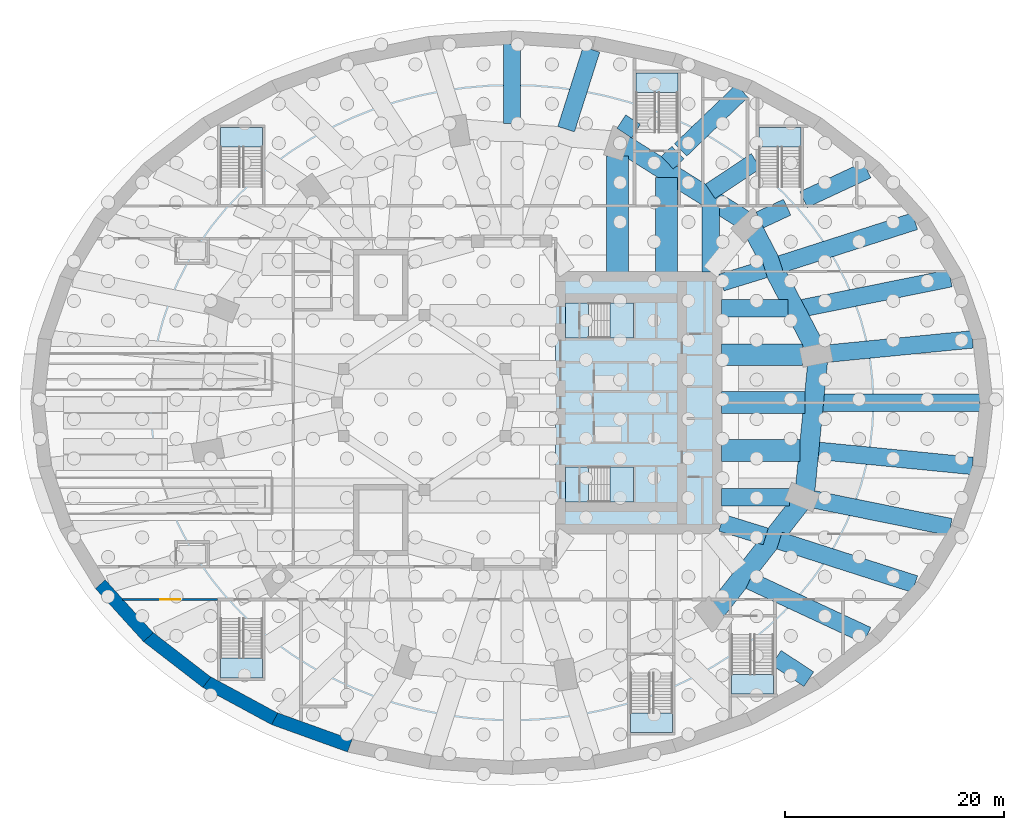
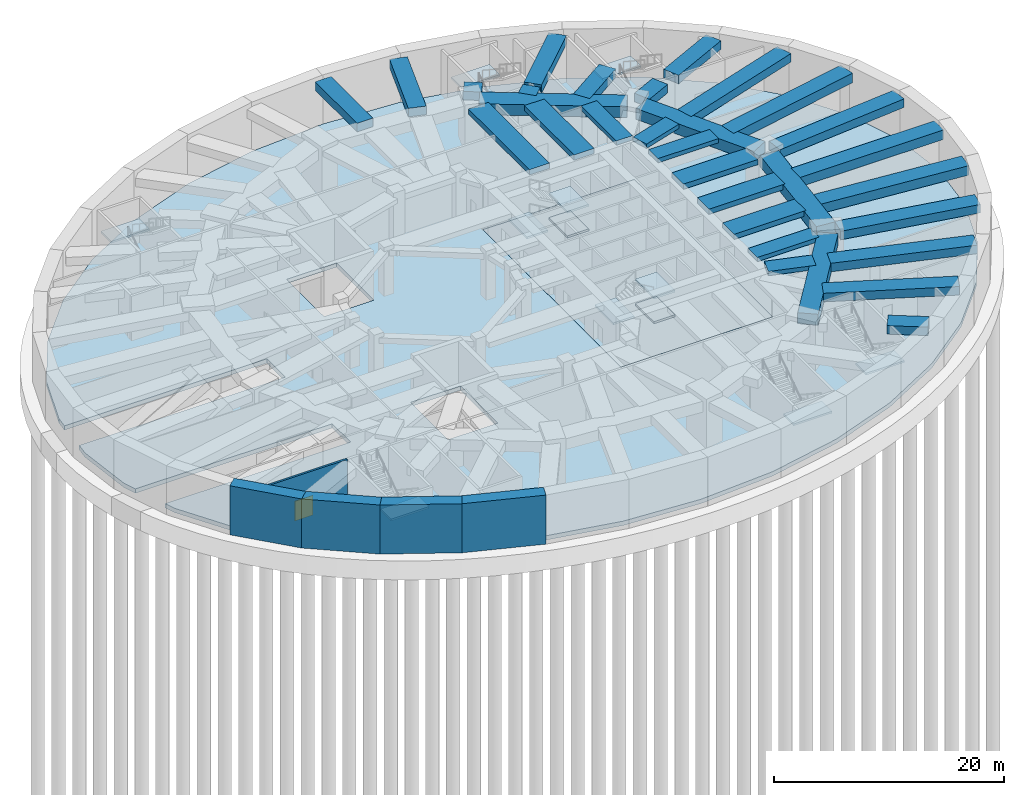
# One storey, part 6 of 18: 31 beams, 14 slabs, 5 walls, 1 door, 1 opening, 8 elements without a shape of their own.
"""IFC4 building model written with IfcOpenShell, lengths in metres."""

from ifc_helpers import new_model, si_unit, direction, frame, frame_2d, origin, origin_2d, place, context, subcontext, project, spatial, polyline, rectangle, outline, extrude, material, layer, layer_set, material_profile, profile_set, type_object, element, fill, aggregate, save


model = new_model("IFC4")

# Units and contexts
model_context = context("Model", 3, precision=1e-05, world=origin(), true_north=direction((0.0, 1.0)))
body_context = subcontext(model_context, "Body", "Model", "MODEL_VIEW")
ifc_project = project(units=[si_unit("LENGTHUNIT", "METRE"), si_unit("AREAUNIT", "SQUARE_METRE"), si_unit("VOLUMEUNIT", "CUBIC_METRE"), si_unit("PLANEANGLEUNIT", "RADIAN"), si_unit("MASSUNIT", "GRAM", prefix="KILO")], contexts=[model_context])

# Site, building, storey
site_placement = place(None, origin())
site = spatial("IfcSite", under=ifc_project, at=site_placement, CompositionType="ELEMENT")
building_placement = place(site_placement, origin())
building = spatial("IfcBuilding", under=site, at=building_placement, Name="Taillehof Tower", CompositionType="ELEMENT")
storey_placement = place(building_placement, frame((0.0, 0.0, -10.39990234375)))
storey = spatial("IfcBuildingStorey", under=building, at=storey_placement, Name="B2", CompositionType="ELEMENT", Elevation=-10.39990234375)

# Beams
ifc_material_1 = material(Name="Concrete C50/60", Category="concrete")
ifc_material_profile_1 = material_profile(ifc_material_1, rectangle(XDim=1.60009765625, YDim=1.0, at=origin_2d()), Name="RC 1600x1000")
ifc_profile_set_1 = profile_set([ifc_material_profile_1], Name="Concrete C50/60")
beam_type_1 = type_object("IfcBeamType", Name="Podium radial beam C50/60 1600x1000", PredefinedType="BEAM", material=ifc_profile_set_1)
beam_1_placement = place(storey_placement, frame((42.792236328125, 0.0, 4.25), z_axis=(-1.0, 0.0, 0.0), x_axis=(0.0, -1.0, 0.0)))
element("IfcBeam", 1, at=beam_1_placement, inside=storey, type_object=beam_type_1, Name="Podium radial beam PR01", PredefinedType="BEAM", context=body_context, shape_type="SweptSolid", body=[
    extrude(rectangle(XDim=1.60009765625, YDim=1.0, at=origin_2d()), origin(), (0.0, 0.0, 1.0), 14.37939453125),
])
beam_2_placement = place(storey_placement, frame((40.097412109375, 11.376220703125, 4.25), z_axis=(-0.980159529248, -0.198210234914, 0.0), x_axis=(0.198210234914, -0.980159529248, 0.0)))
element("IfcBeam", 2, at=beam_2_placement, inside=storey, type_object=beam_type_1, Name="Podium radial beam PR03", PredefinedType="BEAM", context=body_context, shape_type="SweptSolid", body=[
    extrude(rectangle(XDim=1.60009765625, YDim=1.0, at=origin_2d()), origin(), (0.0, 0.0, 1.0), 13.785400390625),
])
beam_3_placement = place(storey_placement, frame((42.103271484375, -5.78369140625, 4.25), z_axis=(-0.995235968707, 0.097495469601, 0.0), x_axis=(-0.097495469601, -0.995235968707, 0.0)))
element("IfcBeam", 3, at=beam_3_placement, inside=storey, type_object=beam_type_1, Name="Podium radial beam PR36", PredefinedType="BEAM", context=body_context, shape_type="SweptSolid", body=[
    extrude(rectangle(XDim=1.60009765625, YDim=1.0, at=origin_2d()), origin(), (0.0, 0.0, 1.0), 14.108154296875),
])
ifc_material_2 = material(Name="Concrete C50/60", Category="concrete")
ifc_material_profile_2 = material_profile(ifc_material_2, rectangle(XDim=1.60009765625, YDim=0.89990234375, at=origin_2d()), Name="RC 1600x900")
ifc_profile_set_2 = profile_set([ifc_material_profile_2], Name="Concrete C50/60")
beam_type_2 = type_object("IfcBeamType", Name="Podium radial beam C50/60 1600x900", PredefinedType="BEAM", material=ifc_profile_set_2)
beam_4_placement = place(storey_placement, frame((42.103271484375, 5.78369140625, 4.2998046875), z_axis=(-0.995236796201, -0.097487022149, 0.0), x_axis=(0.097487022149, -0.995236796201, 0.0)))
element("IfcBeam", 4, at=beam_4_placement, inside=storey, type_object=beam_type_2, Name="Podium radial beam PR02", PredefinedType="BEAM", context=body_context, shape_type="SweptSolid", body=[
    extrude(rectangle(XDim=1.60009765625, YDim=0.89990234375, at=origin_2d()), origin(), (0.0, 0.0, 1.0), 13.258056640625),
])
beam_5_placement = place(storey_placement, frame((36.850341796875, 16.59765625, 4.2998046875), z_axis=(-0.952213964382, -0.305431769852, 0.0), x_axis=(0.305431769852, -0.952213964382, 0.0)))
element("IfcBeam", 5, at=beam_5_placement, inside=storey, type_object=beam_type_2, Name="Podium radial beam PR04", PredefinedType="BEAM", context=body_context, shape_type="SweptSolid", body=[
    extrude(rectangle(XDim=1.60009765625, YDim=0.89990234375, at=origin_2d()), origin(), (0.0, 0.0, 1.0), 12.88037109375),
])
beam_6_placement = place(storey_placement, frame((32.48193359375, 21.2841796875, 4.2998046875), z_axis=(-0.906353431293, -0.422520363514, 0.0), x_axis=(0.422520363514, -0.906353431293, 0.0)))
element("IfcBeam", 6, at=beam_6_placement, inside=storey, type_object=beam_type_2, Name="Podium radial beam PR05", PredefinedType="BEAM", context=body_context, shape_type="SweptSolid", body=[
    extrude(rectangle(XDim=1.60009765625, YDim=0.89990234375, at=origin_2d()), origin(), (0.0, 0.0, 1.0), 6.406982421875),
])
beam_7_placement = place(storey_placement, frame((25.168701171875, 17.875, 4.2998046875), z_axis=(-0.906343651761, -0.422541341068, 0.0), x_axis=(0.422541341068, -0.906343651761, 0.0)))
element("IfcBeam", 7, at=beam_7_placement, inside=storey, type_object=beam_type_2, Name="Podium radial beam PR05", PredefinedType="BEAM", context=body_context, shape_type="SweptSolid", body=[
    extrude(rectangle(XDim=1.60009765625, YDim=0.89990234375, at=origin_2d()), origin(), (0.0, 0.0, 1.0), 2.7578125),
])
beam_8_placement = place(storey_placement, frame((22.324951171875, 22.10107421875, 4.2998046875), z_axis=(-0.833802323485, -0.552063117181, 0.0), x_axis=(0.552063117181, -0.833802323485, 0.0)))
element("IfcBeam", 8, at=beam_8_placement, inside=storey, type_object=beam_type_2, Name="Podium radial beam PR06", PredefinedType="BEAM", context=body_context, shape_type="SweptSolid", body=[
    extrude(rectangle(XDim=1.60009765625, YDim=0.89990234375, at=origin_2d()), origin(), (0.0, 0.0, 1.0), 5.02587890625),
])
beam_9_placement = place(storey_placement, frame((21.03564453125, 28.516845703125, 4.2998046875), z_axis=(-0.720584173649, -0.693367470167, 0.0), x_axis=(0.693367470167, -0.720584173649, 0.0)))
element("IfcBeam", 9, at=beam_9_placement, inside=storey, type_object=beam_type_2, Name="Podium radial beam PR07", PredefinedType="BEAM", context=body_context, shape_type="SweptSolid", body=[
    extrude(rectangle(XDim=1.60009765625, YDim=0.89990234375, at=origin_2d()), origin(), (0.0, 0.0, 1.0), 7.7861328125),
])
beam_10_placement = place(storey_placement, frame((15.17236328125, 22.875, 4.2998046875), z_axis=(-0.720552861663, -0.69340000977, 0.0), x_axis=(0.69340000977, -0.720552861663, 0.0)))
element("IfcBeam", 10, at=beam_10_placement, inside=storey, type_object=beam_type_2, Name="Podium radial beam PR07", PredefinedType="BEAM", context=body_context, shape_type="SweptSolid", body=[
    extrude(rectangle(XDim=1.60009765625, YDim=0.89990234375, at=origin_2d()), origin(), (0.0, 0.0, 1.0), 1.339599609375),
])
beam_11_placement = place(storey_placement, frame((11.074951171875, 25.8837890625, 4.2998046875), z_axis=(-0.547998143766, -0.836479548124, 0.0), x_axis=(0.836479548124, -0.547998143766, 0.0)))
element("IfcBeam", 11, at=beam_11_placement, inside=storey, type_object=beam_type_2, Name="Podium radial beam PR08", PredefinedType="BEAM", context=body_context, shape_type="SweptSolid", body=[
    extrude(rectangle(XDim=1.60009765625, YDim=0.89990234375, at=origin_2d()), origin(), (0.0, 0.0, 1.0), 1.466552734375),
])
beam_12_placement = place(storey_placement, frame((7.266845703125, 32.305908203125, 4.2998046875), z_axis=(-0.302511936642, -0.953145596532, 0.0), x_axis=(0.953145596532, -0.302511936642, 0.0)))
element("IfcBeam", 12, at=beam_12_placement, inside=storey, type_object=beam_type_2, Name="Podium radial beam PR09", PredefinedType="BEAM", context=body_context, shape_type="SweptSolid", body=[
    extrude(rectangle(XDim=1.60009765625, YDim=0.89990234375, at=origin_2d()), origin(), (0.0, 0.0, 1.0), 7.649169921875),
])
beam_13_placement = place(storey_placement, frame((0.0, 32.79736328125, 4.2998046875), z_axis=(0.0, -1.0, 0.0), x_axis=(1.0, 0.0, 0.0)))
element("IfcBeam", 13, at=beam_13_placement, inside=storey, type_object=beam_type_2, Name="Podium radial beam PR10", PredefinedType="BEAM", context=body_context, shape_type="SweptSolid", body=[
    extrude(rectangle(XDim=1.60009765625, YDim=0.89990234375, at=origin_2d()), origin(), (0.0, 0.0, 1.0), 7.275634765625),
])
beam_14_placement = place(storey_placement, frame((27.148681640625, -25.294677734375, 4.2998046875), z_axis=(-0.833815431022, 0.552043319849, 0.0), x_axis=(-0.552043319849, -0.833815431022, 0.0)))
element("IfcBeam", 14, at=beam_14_placement, inside=storey, type_object=beam_type_2, Name="Podium radial beam PR32", PredefinedType="BEAM", context=body_context, shape_type="SweptSolid", body=[
    extrude(rectangle(XDim=1.60009765625, YDim=0.89990234375, at=origin_2d()), origin(), (0.0, 0.0, 1.0), 3.56640625),
])
beam_15_placement = place(storey_placement, frame((32.48193359375, -21.2841796875, 4.2998046875), z_axis=(-0.906354969557, 0.42251706375, 0.0), x_axis=(-0.42251706375, -0.906354969557, 0.0)))
element("IfcBeam", 15, at=beam_15_placement, inside=storey, type_object=beam_type_2, Name="Podium radial beam PR33", PredefinedType="BEAM", context=body_context, shape_type="SweptSolid", body=[
    extrude(rectangle(XDim=1.60009765625, YDim=0.89990234375, at=origin_2d()), origin(), (0.0, 0.0, 1.0), 11.864501953125),
])
beam_16_placement = place(storey_placement, frame((36.850341796875, -16.59765625, 4.2998046875), z_axis=(-0.9522154195, 0.305427233342, 0.0), x_axis=(-0.305427233342, -0.9522154195, 0.0)))
element("IfcBeam", 16, at=beam_16_placement, inside=storey, type_object=beam_type_2, Name="Podium radial beam PR34", PredefinedType="BEAM", context=body_context, shape_type="SweptSolid", body=[
    extrude(rectangle(XDim=1.60009765625, YDim=0.89990234375, at=origin_2d()), origin(), (0.0, 0.0, 1.0), 13.010986328125),
])
beam_17_placement = place(storey_placement, frame((40.097412109375, -11.376220703125, 4.2998046875), z_axis=(-0.98016201172, 0.198197958571, 0.0), x_axis=(-0.198197958571, -0.98016201172, 0.0)))
element("IfcBeam", 17, at=beam_17_placement, inside=storey, type_object=beam_type_2, Name="Podium radial beam PR35", PredefinedType="BEAM", context=body_context, shape_type="SweptSolid", body=[
    extrude(rectangle(XDim=1.60009765625, YDim=0.89990234375, at=origin_2d()), origin(), (0.0, 0.0, 1.0), 12.80712890625),
])
ifc_material_3 = material(Name="Concrete C50/60", Category="concrete")
ifc_material_profile_3 = material_profile(ifc_material_3, rectangle(XDim=1.60009765625, YDim=0.449951171875, at=origin_2d()), Name="RC 1600x450")
ifc_profile_set_3 = profile_set([ifc_material_profile_3], Name="Concrete C50/60")
beam_type_3 = type_object("IfcBeamType", Name="Radial band beam C50/60 1600x450", PredefinedType="BEAM", material=ifc_profile_set_3)
beam_18_placement = place(storey_placement, frame((25.234130859375, 8.635986328125, 4.52490234375), z_axis=(-1.0, 0.0, 0.0), x_axis=(0.0, -1.0, 0.0)))
element("IfcBeam", 18, at=beam_18_placement, inside=storey, type_object=beam_type_3, Name="Radial band beam RB03", PredefinedType="BEAM", context=body_context, shape_type="SweptSolid", body=[
    extrude(rectangle(XDim=1.60009765625, YDim=0.449951171875, at=origin_2d()), origin(), (0.0, 0.0, 1.0), 6.084228515625),
])
beam_19_placement = place(storey_placement, frame((23.117919921875, 12.209228515625, 4.52490234375), z_axis=(-0.955533205801, -0.294883523805, 0.0), x_axis=(0.294883523805, -0.955533205801, 0.0)))
element("IfcBeam", 19, at=beam_19_placement, inside=storey, type_object=beam_type_3, Name="Radial band beam RB04", PredefinedType="BEAM", context=body_context, shape_type="SweptSolid", body=[
    extrude(rectangle(XDim=1.60009765625, YDim=0.449951171875, at=origin_2d()), origin(), (0.0, 0.0, 1.0), 4.150390625),
])
beam_20_placement = place(storey_placement, frame((18.15869140625, 18.08740234375, 4.52490234375), z_axis=(0.0, -1.0, 0.0), x_axis=(1.0, 0.0, 0.0)))
element("IfcBeam", 20, at=beam_20_placement, inside=storey, type_object=beam_type_3, Name="Radial band beam RB06", PredefinedType="BEAM", context=body_context, shape_type="SweptSolid", body=[
    extrude(rectangle(XDim=1.60009765625, YDim=0.449951171875, at=origin_2d()), origin(), (0.0, 0.0, 1.0), 6.137451171875),
])
beam_21_placement = place(storey_placement, frame((23.20556640625, -12.236328125, 4.52490234375), z_axis=(-0.955529794547, 0.294894577321, 0.0), x_axis=(-0.294894577321, -0.955529794547, 0.0)))
element("IfcBeam", 21, at=beam_21_placement, inside=storey, type_object=beam_type_3, Name="Radial band beam RB34", PredefinedType="BEAM", context=body_context, shape_type="SweptSolid", body=[
    extrude(rectangle(XDim=1.60009765625, YDim=0.449951171875, at=origin_2d()), origin(), (0.0, 0.0, 1.0), 4.2421875),
])
beam_22_placement = place(storey_placement, frame((25.362060546875, -8.635986328125, 4.52490234375), z_axis=(-1.0, 0.0, 0.0), x_axis=(0.0, -1.0, 0.0)))
element("IfcBeam", 22, at=beam_22_placement, inside=storey, type_object=beam_type_3, Name="Radial band beam RB35", PredefinedType="BEAM", context=body_context, shape_type="SweptSolid", body=[
    extrude(rectangle(XDim=1.60009765625, YDim=0.449951171875, at=origin_2d()), origin(), (0.0, 0.0, 1.0), 6.212158203125),
])
ifc_material_4 = material(Name="Concrete C50/60", Category="concrete")
ifc_material_profile_4 = material_profile(ifc_material_4, rectangle(XDim=2.0, YDim=0.550048828125, at=origin_2d()), Name="RC 2000x550")
ifc_profile_set_4 = profile_set([ifc_material_profile_4], Name="Concrete C50/60")
beam_type_4 = type_object("IfcBeamType", Name="Radial band beam C50/60 2000x550", PredefinedType="BEAM", material=ifc_profile_set_4)
beam_23_placement = place(storey_placement, frame((26.787841796875, 0.0, 4.474853515625), z_axis=(-1.0, 0.0, 0.0), x_axis=(0.0, -1.0, 0.0)))
element("IfcBeam", 23, at=beam_23_placement, inside=storey, type_object=beam_type_4, Name="Radial band beam RB01", PredefinedType="BEAM", context=body_context, shape_type="SweptSolid", body=[
    extrude(rectangle(XDim=2.0, YDim=0.550048828125, at=origin_2d()), origin(), (0.0, 0.0, 1.0), 7.637939453125),
])
beam_24_placement = place(storey_placement, frame((26.592529296875, 4.384521484375, 4.474853515625), z_axis=(-1.0, 0.0, 0.0), x_axis=(0.0, -1.0, 0.0)))
element("IfcBeam", 24, at=beam_24_placement, inside=storey, type_object=beam_type_4, Name="Radial band beam RB02", PredefinedType="BEAM", context=body_context, shape_type="SweptSolid", body=[
    extrude(rectangle(XDim=2.0, YDim=0.550048828125, at=origin_2d()), origin(), (0.0, 0.0, 1.0), 7.442626953125),
])
beam_25_placement = place(storey_placement, frame((14.125, 20.59375, 4.474853515625), z_axis=(0.0, -1.0, 0.0), x_axis=(1.0, 0.0, 0.0)))
element("IfcBeam", 25, at=beam_25_placement, inside=storey, type_object=beam_type_4, Name="Radial band beam RB07", PredefinedType="BEAM", context=body_context, shape_type="SweptSolid", body=[
    extrude(rectangle(XDim=2.0, YDim=0.550048828125, at=origin_2d()), origin(), (0.0, 0.0, 1.0), 8.643798828125),
])
beam_26_placement = place(storey_placement, frame((9.662109375, 22.582763671875, 4.474853515625), z_axis=(0.0, -1.0, 0.0), x_axis=(1.0, 0.0, 0.0)))
element("IfcBeam", 26, at=beam_26_placement, inside=storey, type_object=beam_type_4, Name="Radial band beam RB08", PredefinedType="BEAM", context=body_context, shape_type="SweptSolid", body=[
    extrude(rectangle(XDim=2.0, YDim=0.550048828125, at=origin_2d()), origin(), (0.0, 0.0, 1.0), 10.6328125),
])
beam_27_placement = place(storey_placement, frame((26.358642578125, -4.384521484375, 4.474853515625), z_axis=(-1.0, 0.0, 0.0), x_axis=(0.0, -1.0, 0.0)))
element("IfcBeam", 27, at=beam_27_placement, inside=storey, type_object=beam_type_4, Name="Radial band beam RB36", PredefinedType="BEAM", context=body_context, shape_type="SweptSolid", body=[
    extrude(rectangle(XDim=2.0, YDim=0.550048828125, at=origin_2d()), origin(), (0.0, 0.0, 1.0), 7.208740234375),
])
ifc_material_5 = material(Name="Concrete C50/60", Category="concrete")
ifc_material_profile_5 = material_profile(ifc_material_5, rectangle(XDim=1.800048828125, YDim=1.14990234375, at=origin_2d()), Name="RC 1800x1150")
ifc_profile_set_5 = profile_set([ifc_material_profile_5], Name="Concrete C50/60")
beam_type_5 = type_object("IfcBeamType", Name="Ring floor beam C50/60 1800x1150", PredefinedType="BEAM", material=ifc_profile_set_5)
beam_28_placement = place(storey_placement, frame((27.716552734375, 5.01708984375, 4.1748046875), z_axis=(-0.462558439378, 0.88658879429, 0.0), x_axis=(-0.88658879429, -0.462558439378, 0.0)))
element("IfcBeam", 28, at=beam_28_placement, inside=storey, type_object=beam_type_5, Name="Ring floor beam RG01", PredefinedType="BEAM", context=body_context, shape_type="SweptSolid", body=[
    extrude(rectangle(XDim=1.800048828125, YDim=1.14990234375, at=origin_2d()), origin(), (0.0, 0.0, 1.0), 12.12841796875),
])
beam_29_placement = place(storey_placement, frame((21.207275390625, 16.737548828125, 4.1748046875), z_axis=(-0.847670289151, 0.530523402774, 0.0), x_axis=(-0.530523402774, -0.847670289151, 0.0)))
element("IfcBeam", 29, at=beam_29_placement, inside=storey, type_object=beam_type_5, Name="Ring floor beam RG02", PredefinedType="BEAM", context=body_context, shape_type="SweptSolid", body=[
    extrude(rectangle(XDim=1.800048828125, YDim=1.14990234375, at=origin_2d()), origin(), (0.0, 0.0, 1.0), 12.843505859375),
])
beam_30_placement = place(storey_placement, frame((18.706787109375, -18.96728515625, 4.1748046875), z_axis=(0.616695661832, 0.787201664555, 0.0), x_axis=(-0.787201664555, 0.616695661832, 0.0)))
element("IfcBeam", 30, at=beam_30_placement, inside=storey, type_object=beam_type_5, Name="Ring floor beam RG11", PredefinedType="BEAM", context=body_context, shape_type="SweptSolid", body=[
    extrude(rectangle(XDim=1.800048828125, YDim=1.14990234375, at=origin_2d()), origin(), (0.0, 0.0, 1.0), 12.351318359375),
])
beam_31_placement = place(storey_placement, frame((26.804931640625, -8.048095703125, 4.1748046875), z_axis=(0.097401633185, 0.995245156659, 0.0), x_axis=(-0.995245156659, 0.097401633185, 0.0)))
element("IfcBeam", 31, at=beam_31_placement, inside=storey, type_object=beam_type_5, Name="Ring floor beam RG12", PredefinedType="BEAM", context=body_context, shape_type="SweptSolid", body=[
    extrude(rectangle(XDim=1.800048828125, YDim=1.14990234375, at=origin_2d()), origin(), (0.0, 0.0, 1.0), 11.868408203125),
])

# Slabs
ifc_material_6 = material(Name="Concrete C40/50", Category="concrete")
ifc_layer_1 = layer(ifc_material_6, 0.449951171875)
ifc_layer_set_1 = layer_set([ifc_layer_1], Name="Core floor slab C40/50 450")
slab_type_1 = type_object("IfcSlabType", Name="Core floor slab C40/50 450", PredefinedType="FLOOR", material=ifc_layer_set_1)
slab_1_placement = place(storey_placement, frame((0.0, 0.0, -0.4501953125)))
element("IfcSlab", 32, at=slab_1_placement, inside=storey, type_object=slab_type_1, Name="Core floor B2", PredefinedType="FLOOR", context=body_context, shape_type="SweptSolid", body=[
    extrude(outline(polyline([(19.199951171875, -12.0), (19.199951171875, 12.0), (4.0, 12.0), (4.0, -12.0), (19.199951171875, -12.0)])), origin(), (0.0, 0.0, 1.0), 0.4501953125),
])
ifc_material_7 = material(Name="Concrete C40/50", Category="concrete")
ifc_layer_2 = layer(ifc_material_7, 0.449951171875)
ifc_layer_set_2 = layer_set([ifc_layer_2], Name="Floor slab 450")
slab_type_2 = type_object("IfcSlabType", Name="Floor slab 450", PredefinedType="FLOOR", material=ifc_layer_set_2)
slab_2_placement = place(storey_placement, frame((0.0, 0.0, -0.4501953125)))
element("IfcSlab", 33, at=slab_2_placement, inside=storey, type_object=slab_type_2, Name="Floor slab B2", PredefinedType="FLOOR", context=body_context, shape_type="SweptSolid", body=[
    extrude(outline(polyline([(-42.154052734375, 5.63671875), (-40.25390625, 11.116455078125), (-37.1376953125, 16.280517578125), (-32.88818359375, 20.97021484375), (-27.6259765625, 25.036376953125), (-21.50830078125, 28.346435546875), (-14.72216796875, 30.791748046875), (-7.4775390625, 32.291748046875), (0.0, 32.79736328125), (7.4775390625, 32.291748046875), (14.72216796875, 30.791748046875), (21.50830078125, 28.346435546875), (27.6259765625, 25.036376953125), (32.88818359375, 20.97021484375), (37.1376953125, 16.280517578125), (40.25390625, 11.116455078125), (42.154052734375, 5.63671875), (42.792236328125, 0.0), (42.154052734375, -5.63671875), (40.25390625, -11.116455078125), (37.1376953125, -16.280517578125), (32.88818359375, -20.97021484375), (27.6259765625, -25.036376953125), (21.50830078125, -28.346435546875), (14.72216796875, -30.791748046875), (7.4775390625, -32.291748046875), (0.0, -32.79736328125), (-7.4775390625, -32.291748046875), (-14.72216796875, -30.791748046875), (-21.50830078125, -28.346435546875), (-27.6259765625, -25.036376953125), (-32.88818359375, -20.97021484375), (-37.1376953125, -16.280517578125), (-40.25390625, -11.116455078125), (-40.6064453125, -10.10009765625), (-22.0, -10.10009765625), (-22.0, -6.89990234375), (-41.716064453125, -6.89990234375), (-42.154052734375, -5.63671875), (-42.792236328125, 0.0), (-42.65087890625, 1.25), (-22.0, 1.25), (-22.0, 4.449951171875), (-42.28857421875, 4.449951171875), (-42.154052734375, 5.63671875)]), holes=[polyline([(-14.5, -7.5), (-9.5, -7.5), (-9.5, -14.0), (-14.5, -14.0), (-14.5, -7.5)]), polyline([(19.199951171875, 12.0), (19.199951171875, -12.0), (4.0, -12.0), (4.0, 12.0), (19.199951171875, 12.0)]), polyline([(-9.5, 14.0), (-9.5, 7.5), (-14.5, 7.5), (-14.5, 14.0), (-9.5, 14.0)])]), origin(), (0.0, 0.0, 1.0), 0.4501953125),
])

# Stair, slab
ifc_material_8 = material(Name="Concrete C30/37", Category="concrete")
stair_type_1 = type_object("IfcStairType", Name="Escape stair 1800 mm", PredefinedType="HALF_TURN_STAIR", material=ifc_material_8)
stair_1_placement = place(storey_placement, origin())
stair_1 = element("IfcStair", 34, at=stair_1_placement, inside=storey, type_object=stair_type_1, Name="Escape stair ES1", PredefinedType="HALF_TURN_STAIR")
ifc_material_9 = material(Name="Concrete C30/37", Category="concrete")
ifc_layer_3 = layer(ifc_material_9, 0.199951171875)
ifc_layer_set_3 = layer_set([ifc_layer_3], Name="Stair landing 200 mm")
slab_type_3 = type_object("IfcSlabType", Name="Stair landing 200 mm", PredefinedType="LANDING", material=ifc_layer_set_3)
slab_3_placement = place(storey_placement, frame((0.0, 0.0, 2.39990234375)))
slab_3 = element("IfcSlab", 35, at=slab_3_placement, type_object=slab_type_3, Name="ES1 landing 1", PredefinedType="LANDING", context=body_context, shape_type="SweptSolid", body=[
    extrude(outline(polyline([(-26.675048828125, 23.364990234375), (-22.824951171875, 23.364990234375), (-22.824951171875, 25.1650390625), (-26.675048828125, 25.1650390625), (-26.675048828125, 23.364990234375)])), origin(), (0.0, 0.0, 1.0), 0.199951171875),
])
aggregate(stair_1, [slab_3])

stair_2_placement = place(storey_placement, origin())
stair_2 = element("IfcStair", 36, at=stair_2_placement, inside=storey, type_object=stair_type_1, Name="Escape stair ES2", PredefinedType="HALF_TURN_STAIR")
slab_4_placement = place(storey_placement, frame((0.0, 0.0, 2.39990234375)))
slab_4 = element("IfcSlab", 37, at=slab_4_placement, type_object=slab_type_3, Name="ES2 landing 1", PredefinedType="LANDING", context=body_context, shape_type="SweptSolid", body=[
    extrude(outline(polyline([(-22.824951171875, -23.364990234375), (-26.675048828125, -23.364990234375), (-26.675048828125, -25.1650390625), (-22.824951171875, -25.1650390625), (-22.824951171875, -23.364990234375)])), origin(), (0.0, 0.0, 1.0), 0.199951171875),
])
aggregate(stair_2, [slab_4])

stair_3_placement = place(storey_placement, origin())
stair_3 = element("IfcStair", 38, at=stair_3_placement, inside=storey, type_object=stair_type_1, Name="Escape stair ES3", PredefinedType="HALF_TURN_STAIR")
slab_5_placement = place(storey_placement, frame((0.0, 0.0, 2.39990234375)))
slab_5 = element("IfcSlab", 39, at=slab_5_placement, type_object=slab_type_3, Name="ES3 landing 1", PredefinedType="LANDING", context=body_context, shape_type="SweptSolid", body=[
    extrude(outline(polyline([(11.324951171875, 28.364990234375), (15.175048828125, 28.364990234375), (15.175048828125, 30.1650390625), (11.324951171875, 30.1650390625), (11.324951171875, 28.364990234375)])), origin(), (0.0, 0.0, 1.0), 0.199951171875),
])
aggregate(stair_3, [slab_5])

stair_4_placement = place(storey_placement, origin())
stair_4 = element("IfcStair", 40, at=stair_4_placement, inside=storey, type_object=stair_type_1, Name="Escape stair ES4", PredefinedType="HALF_TURN_STAIR")
slab_6_placement = place(storey_placement, frame((0.0, 0.0, 2.39990234375)))
slab_6 = element("IfcSlab", 41, at=slab_6_placement, type_object=slab_type_3, Name="ES4 landing 1", PredefinedType="LANDING", context=body_context, shape_type="SweptSolid", body=[
    extrude(outline(polyline([(23.925048828125, -24.864990234375), (20.074951171875, -24.864990234375), (20.074951171875, -26.6650390625), (23.925048828125, -26.6650390625), (23.925048828125, -24.864990234375)])), origin(), (0.0, 0.0, 1.0), 0.199951171875),
])
aggregate(stair_4, [slab_6])

stair_5_placement = place(storey_placement, origin())
stair_5 = element("IfcStair", 42, at=stair_5_placement, inside=storey, type_object=stair_type_1, Name="Escape stair ES5", PredefinedType="HALF_TURN_STAIR")
slab_7_placement = place(storey_placement, frame((0.0, 0.0, 2.39990234375)))
slab_7 = element("IfcSlab", 43, at=slab_7_placement, type_object=slab_type_3, Name="ES5 landing 1", PredefinedType="LANDING", context=body_context, shape_type="SweptSolid", body=[
    extrude(outline(polyline([(22.574951171875, 23.364990234375), (26.425048828125, 23.364990234375), (26.425048828125, 25.1650390625), (22.574951171875, 25.1650390625), (22.574951171875, 23.364990234375)])), origin(), (0.0, 0.0, 1.0), 0.199951171875),
])
aggregate(stair_5, [slab_7])

stair_6_placement = place(storey_placement, origin())
stair_6 = element("IfcStair", 44, at=stair_6_placement, inside=storey, type_object=stair_type_1, Name="Escape stair ES6", PredefinedType="HALF_TURN_STAIR")
slab_8_placement = place(storey_placement, frame((0.0, 0.0, 2.39990234375)))
slab_8 = element("IfcSlab", 45, at=slab_8_placement, type_object=slab_type_3, Name="ES6 landing 1", PredefinedType="LANDING", context=body_context, shape_type="SweptSolid", body=[
    extrude(outline(polyline([(14.675048828125, -28.364990234375), (10.824951171875, -28.364990234375), (10.824951171875, -30.1650390625), (14.675048828125, -30.1650390625), (14.675048828125, -28.364990234375)])), origin(), (0.0, 0.0, 1.0), 0.199951171875),
])
aggregate(stair_6, [slab_8])

# Stair, slabs
ifc_material_10 = material(Name="Concrete C40/50", Category="concrete")
stair_type_2 = type_object("IfcStairType", Name="Exit stair half-turn", PredefinedType="HALF_TURN_STAIR", material=ifc_material_10)
stair_7_placement = place(storey_placement, origin())
stair_7 = element("IfcStair", 46, at=stair_7_placement, inside=storey, type_object=stair_type_2, Name="Exit stair S1", PredefinedType="HALF_TURN_STAIR")
ifc_material_11 = material(Name="Concrete C40/50", Category="concrete")
ifc_layer_4 = layer(ifc_material_11, 0.2099609375)
ifc_layer_set_4 = layer_set([ifc_layer_4], Name="Stair landing C40/50 210")
slab_type_4 = type_object("IfcSlabType", Name="Stair landing C40/50 210", PredefinedType="LANDING", material=ifc_layer_set_4)
slab_9_placement = place(storey_placement, frame((0.0, 0.0, 1.08984375)))
slab_9 = element("IfcSlab", 47, at=slab_9_placement, type_object=slab_type_4, Name="S1 landing 1", PredefinedType="LANDING", context=body_context, shape_type="SweptSolid", body=[
    extrude(outline(polyline([(8.9599609375, 5.89990234375), (11.10009765625, 5.89990234375), (11.10009765625, 9.10009765625), (8.9599609375, 9.10009765625), (8.9599609375, 5.89990234375)])), origin(), (0.0, 0.0, 1.0), 0.2099609375),
])
slab_10_placement = place(storey_placement, frame((0.0, 0.0, 2.389892578125)))
slab_10 = element("IfcSlab", 48, at=slab_10_placement, type_object=slab_type_4, Name="S1 landing 2", PredefinedType="LANDING", context=body_context, shape_type="SweptSolid", body=[
    extrude(outline(polyline([(4.89990234375, 5.89990234375), (7.0, 5.89990234375), (7.0, 9.10009765625), (4.89990234375, 9.10009765625), (4.89990234375, 5.89990234375)])), origin(), (0.0, 0.0, 1.0), 0.2099609375),
])
slab_11_placement = place(storey_placement, frame((0.0, 0.0, 3.68994140625)))
slab_11 = element("IfcSlab", 49, at=slab_11_placement, type_object=slab_type_4, Name="S1 landing 3", PredefinedType="LANDING", context=body_context, shape_type="SweptSolid", body=[
    extrude(outline(polyline([(8.9599609375, 5.89990234375), (11.10009765625, 5.89990234375), (11.10009765625, 9.10009765625), (8.9599609375, 9.10009765625), (8.9599609375, 5.89990234375)])), origin(), (0.0, 0.0, 1.0), 0.2099609375),
])
aggregate(stair_7, [slab_9, slab_10, slab_11])

stair_8_placement = place(storey_placement, origin())
stair_8 = element("IfcStair", 50, at=stair_8_placement, inside=storey, type_object=stair_type_2, Name="Exit stair S2", PredefinedType="HALF_TURN_STAIR")
slab_12_placement = place(storey_placement, frame((0.0, 0.0, 1.08984375)))
slab_12 = element("IfcSlab", 51, at=slab_12_placement, type_object=slab_type_4, Name="S2 landing 1", PredefinedType="LANDING", context=body_context, shape_type="SweptSolid", body=[
    extrude(outline(polyline([(8.9599609375, -5.89990234375), (11.10009765625, -5.89990234375), (11.10009765625, -9.10009765625), (8.9599609375, -9.10009765625), (8.9599609375, -5.89990234375)])), origin(), (0.0, 0.0, 1.0), 0.2099609375),
])
slab_13_placement = place(storey_placement, frame((0.0, 0.0, 2.389892578125)))
slab_13 = element("IfcSlab", 52, at=slab_13_placement, type_object=slab_type_4, Name="S2 landing 2", PredefinedType="LANDING", context=body_context, shape_type="SweptSolid", body=[
    extrude(outline(polyline([(4.89990234375, -5.89990234375), (7.0, -5.89990234375), (7.0, -9.10009765625), (4.89990234375, -9.10009765625), (4.89990234375, -5.89990234375)])), origin(), (0.0, 0.0, 1.0), 0.2099609375),
])
slab_14_placement = place(storey_placement, frame((0.0, 0.0, 3.68994140625)))
slab_14 = element("IfcSlab", 53, at=slab_14_placement, type_object=slab_type_4, Name="S2 landing 3", PredefinedType="LANDING", context=body_context, shape_type="SweptSolid", body=[
    extrude(outline(polyline([(8.9599609375, -5.89990234375), (11.10009765625, -5.89990234375), (11.10009765625, -9.10009765625), (8.9599609375, -9.10009765625), (8.9599609375, -5.89990234375)])), origin(), (0.0, 0.0, 1.0), 0.2099609375),
])
aggregate(stair_8, [slab_12, slab_13, slab_14])

# Wall, opening, door
ifc_material_12 = material(Name="Calcium silicate blockwork", Category="masonry")
ifc_layer_5 = layer(ifc_material_12, 0.199951171875)
ifc_layer_set_5 = layer_set([ifc_layer_5], Name="Compartment wall EI 60 200 mm")
wall_type_1 = type_object("IfcWallType", Name="Compartment wall EI 60 200 mm", PredefinedType="PARTITIONING", material=ifc_layer_set_5)
wall_1_placement = place(storey_placement, frame((-35.60546875, -18.0, 0.0), z_axis=(0.0, 0.0, 1.0), x_axis=(1.0, 0.0, 0.0)))
wall_1 = element("IfcWall", 54, at=wall_1_placement, inside=storey, type_object=wall_type_1, Name="Wall B2-14 / B2-23", PredefinedType="PARTITIONING", context=body_context, shape_type="SweptSolid", body=[
    extrude(rectangle(XDim=8.680419921875, YDim=0.199951171875, at=frame_2d((4.34033203125, 0.0))), origin(), (0.0, 0.0, 1.0), 4.75),
])
opening_placement = place(wall_1_placement, frame((3.4404296875, 0.0, 0.0)))
opening = element("IfcOpeningElement", 55, at=opening_placement, cuts=wall_1, Name="Opening DB243", PredefinedType="OPENING", context=body_context, shape_type="SweptSolid", body=[
    extrude(rectangle(XDim=1.800048828125, YDim=2.10009765625, at=frame_2d((0.89990234375, 1.050048828125))), frame((0.0, 0.10986328125, 0.0), z_axis=(0.0, -1.0, 0.0), x_axis=(1.0, 0.0, 0.0)), (0.0, 0.0, 1.0), 0.219970703125),
])
ifc_material_13 = material(Name="Hollow metal door set")
door_type = type_object("IfcDoorType", Name="Double door 1800 x 2100 FD60S", OperationType="DOUBLE_DOOR_SINGLE_SWING", PredefinedType="DOOR", material=ifc_material_13)
door_placement = place(opening_placement, origin())
door = element("IfcDoor", 56, at=door_placement, inside=storey, type_object=door_type, Name="Door DB243", OperationType="DOUBLE_DOOR_SINGLE_SWING", OverallHeight=2.10009765625, OverallWidth=1.800048828125, PredefinedType="DOOR", context=body_context, shape_type="SweptSolid", body=[
    extrude(rectangle(XDim=1.800048828125, YDim=2.10009765625, at=frame_2d((0.89990234375, 1.050048828125))), frame((0.0, 0.02490234375, 0.0), z_axis=(0.0, -1.0, 0.0), x_axis=(1.0, 0.0, 0.0)), (0.0, 0.0, 1.0), 0.050048828125),
])
fill(opening, door)

# Walls
ifc_material_14 = material(Name="Concrete C35/45", Category="concrete")
ifc_layer_6 = layer(ifc_material_14, 1.199951171875)
ifc_layer_set_6 = layer_set([ifc_layer_6], Name="Diaphragm wall 1200")
wall_type_2 = type_object("IfcWallType", Name="Diaphragm wall 1200", PredefinedType="USERDEFINED", material=ifc_layer_set_6)
wall_2_placement = place(storey_placement, frame((-37.65673828125, -16.601318359375, 0.0), z_axis=(0.0, 0.0, 1.0), x_axis=(0.671487423502, -0.741015951299, 0.0)))
element("IfcWall", 57, at=wall_2_placement, inside=storey, type_object=wall_type_2, Name="Diaphragm wall DW22", ObjectType="Retaining wall", PredefinedType="USERDEFINED", context=body_context, shape_type="SweptSolid", body=[
    extrude(rectangle(XDim=6.545166015625, YDim=1.199951171875, at=frame_2d((3.2724609375, 0.0))), origin(), (0.0, 0.0, 1.0), 5.199951171875),
])
wall_3_placement = place(storey_placement, frame((-33.338623046875, -21.38037109375, 0.0), z_axis=(0.0, 0.0, 1.0), x_axis=(0.791286567459, -0.611445474396, 0.0)))
element("IfcWall", 58, at=wall_3_placement, inside=storey, type_object=wall_type_2, Name="Diaphragm wall DW23", ObjectType="Retaining wall", PredefinedType="USERDEFINED", context=body_context, shape_type="SweptSolid", body=[
    extrude(rectangle(XDim=6.85693359375, YDim=1.199951171875, at=frame_2d((3.428466796875, 0.0))), origin(), (0.0, 0.0, 1.0), 5.199951171875),
])
wall_4_placement = place(storey_placement, frame((-28.00048828125, -25.51611328125, 0.0), z_axis=(0.0, 0.0, 1.0), x_axis=(0.879519330959, -0.475863159394, 0.0)))
element("IfcWall", 59, at=wall_4_placement, inside=storey, type_object=wall_type_2, Name="Diaphragm wall DW24", ObjectType="Retaining wall", PredefinedType="USERDEFINED", context=body_context, shape_type="SweptSolid", body=[
    extrude(rectangle(XDim=7.154541015625, YDim=1.199951171875, at=frame_2d((3.5771484375, 0.0))), origin(), (0.0, 0.0, 1.0), 5.199951171875),
])
wall_5_placement = place(storey_placement, frame((-21.803466796875, -28.8779296875, 0.0), z_axis=(0.0, 0.0, 1.0), x_axis=(0.940789454531, -0.338991448628, 0.0)))
element("IfcWall", 60, at=wall_5_placement, inside=storey, type_object=wall_type_2, Name="Diaphragm wall DW25", ObjectType="Retaining wall", PredefinedType="USERDEFINED", context=body_context, shape_type="SweptSolid", body=[
    extrude(rectangle(XDim=7.40576171875, YDim=1.199951171875, at=frame_2d((3.702880859375, 0.0))), origin(), (0.0, 0.0, 1.0), 5.199951171875),
])

save(model, "model.ifc")
